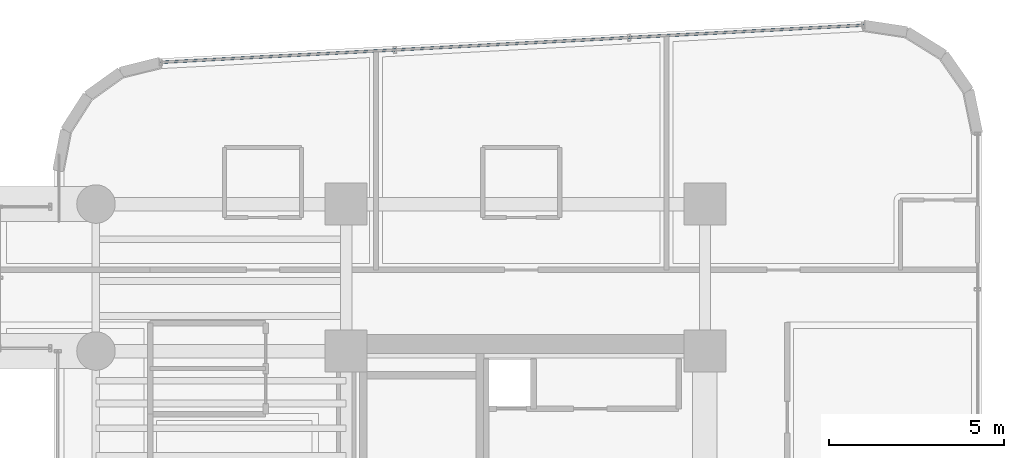
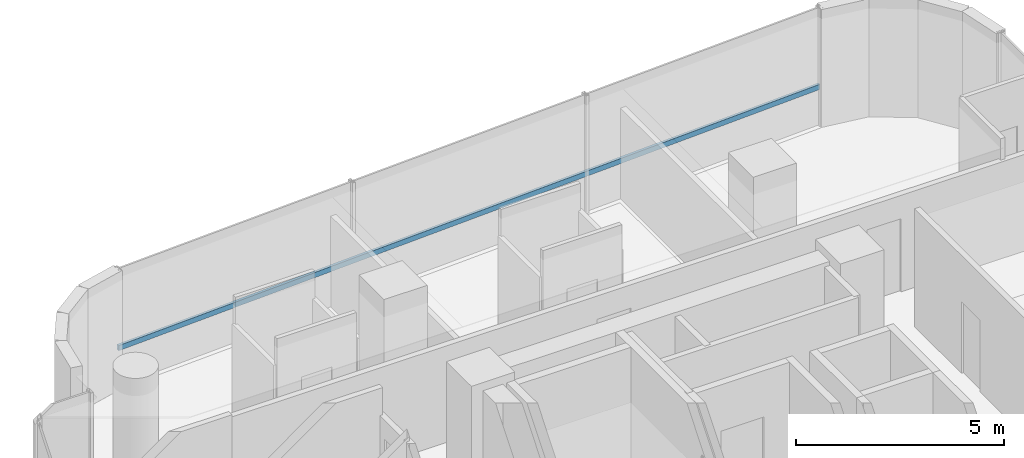
# One storey, part 20 of 33: 1 member, 1 element without a shape of its own.
"""IFC4 building model written with IfcOpenShell, lengths in metres."""

from ifc_helpers import new_model, si_unit, direction, frame, origin, origin_2d, place, context, subcontext, project, spatial, hollow_rectangle, extrude, source, transform, mapped, material, material_profile, profile_set, type_object, element, aggregate, save


model = new_model("IFC4")

# Units and contexts
model_context = context("Model", 3, precision=1e-05, world=origin(), true_north=direction((0.0, 1.0)))
body_context = subcontext(model_context, "Body", "Model", "MODEL_VIEW")
ifc_project = project(units=[si_unit("LENGTHUNIT", "METRE"), si_unit("AREAUNIT", "SQUARE_METRE"), si_unit("VOLUMEUNIT", "CUBIC_METRE"), si_unit("PLANEANGLEUNIT", "RADIAN"), si_unit("MASSUNIT", "GRAM", prefix="KILO")], contexts=[model_context])

# Site, building, storey
site_placement = place(None, origin())
site = spatial("IfcSite", under=ifc_project, at=site_placement, CompositionType="ELEMENT")
building_placement = place(site_placement, origin())
building = spatial("IfcBuilding", under=site, at=building_placement, Name="Valdorenza Pilgrim Sanctuary Tower", CompositionType="ELEMENT")
storey_placement = place(building_placement, frame((0.0, 0.0, 157.5)))
storey = spatial("IfcBuildingStorey", under=building, at=storey_placement, Name="L40", CompositionType="ELEMENT", Elevation=157.5)

# Curtain wall, member
ifc_material_1 = material(Name="Curtain-wall IGU glazing", Category="glass")
curtain_wall_type = type_object("IfcCurtainWallType", Name="CW-SYS-02", PredefinedType="NOTDEFINED", material=ifc_material_1)
curtain_wall_placement = place(storey_placement, origin())
curtain_wall = element("IfcCurtainWall", 1, at=curtain_wall_placement, inside=storey, type_object=curtain_wall_type, Name="L40 Curtain Wall CW-L40-1-6", PredefinedType="NOTDEFINED")
ifc_material_2 = material(Name="Anodised aluminium AW-6060", Category="aluminium")
ifc_material_profile = material_profile(ifc_material_2, hollow_rectangle(XDim=0.074951171875, YDim=0.14990234375, WallThickness=0.00390625, at=origin_2d()), Name="ALU-T 150x75x4")
ifc_profile_set = profile_set([ifc_material_profile], Name="Anodised aluminium AW-6060")
member_type = type_object("IfcMemberType", Name="CW-TRN-02", PredefinedType="USERDEFINED", material=ifc_profile_set)
shared_shape = source(origin(), body_context, "Body", "SweptSolid", [
    extrude(hollow_rectangle(XDim=0.074951171875, YDim=0.14990234375, WallThickness=0.00390625, at=origin_2d()), origin(), (0.0, 0.0, 1.0), 20.106201171875),
])
member_placement = place(storey_placement, frame((-27.952392578125, 18.850830078125, 1.1201171875), z_axis=(0.998607243081, 0.052759587441, 0.0), x_axis=(-0.052759587441, 0.998607243081, 0.0)))
member = element("IfcMember", 2, at=member_placement, type_object=member_type, Name="CW-L40-1-6 Transom 1", ObjectType="TRANSOM", PredefinedType="USERDEFINED", context=body_context, shape_type="MappedRepresentation", body=[
    mapped(shared_shape, transform((0.0, 0.0, 0.0), x_axis=(1.0, 0.0, 0.0), y_axis=(0.0, 1.0, 0.0), z_axis=(0.0, 0.0, 1.0), scale=1.0)),
])
aggregate(curtain_wall, [member])

save(model, "model.ifc")
